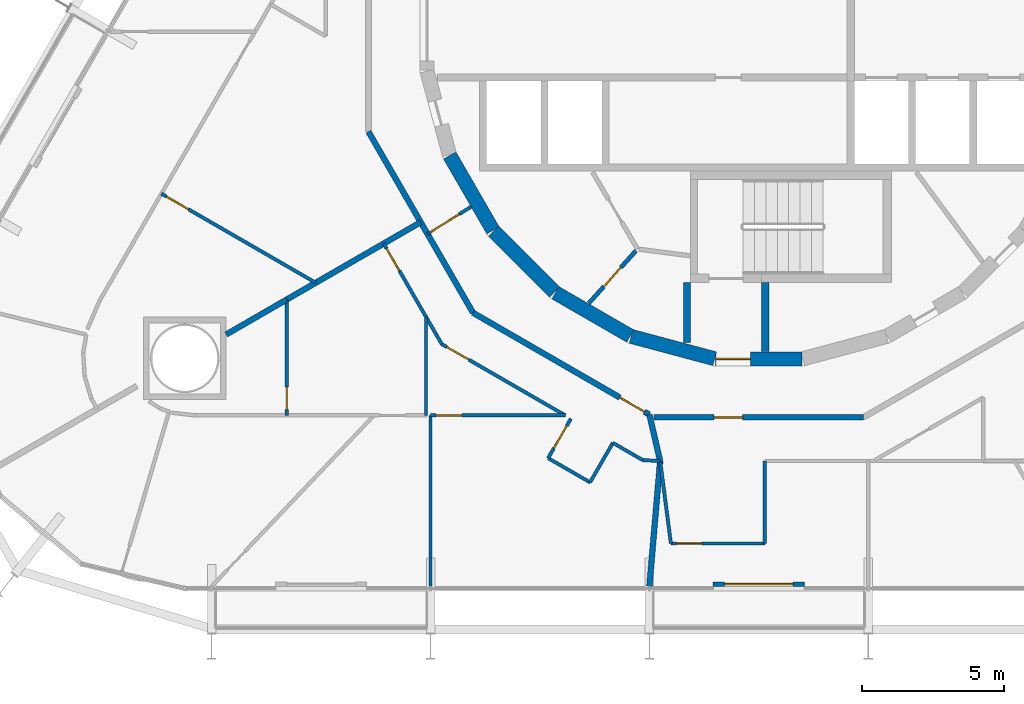
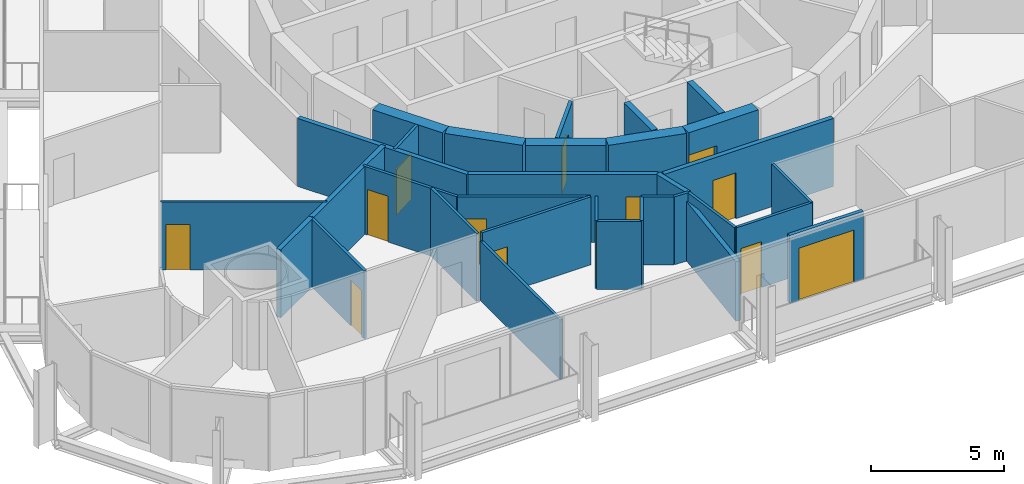
# One storey, part 13 of 21: 32 walls, 13 doors, 13 openings.
"""IFC4 building model written with IfcOpenShell, lengths in metres."""

import ifcopenshell
import ifcopenshell.guid

model = None  # the IFC model being written
_history = None  # IfcOwnerHistory: only IFC2X3 demands one
_inside = {}  # id of a spatial element -> (the spatial element, [elements in it])
_under = {}  # id of a project, library or spatial element -> (it, [spatial elements below it])
_declared = {}  # id of a project -> (the project, [libraries it declares])
_typed = {}  # id of a type object -> (the type object, [elements of that type])
_made_of = {}  # id of a material, layer set ... -> (it, [elements and type objects made of it])


def new_model(schema):
    """Start an empty IFC model of exactly this schema.

    Asked for "IFC4X3", IfcOpenShell would pick the latest addendum, in which some entities
    have other attributes; the version numbers below select the first issue.
    IFC2X3 requires an IfcOwnerHistory on every rooted entity: one is made here for all.
    """
    global model, _history
    if schema == "IFC4X3":
        model = ifcopenshell.file(schema_version=(4, 3, 0, 0))
    else:
        model = ifcopenshell.file(schema=schema)
    _inside.clear()
    _under.clear()
    _declared.clear()
    _typed.clear()
    _made_of.clear()
    _history = None
    if model.schema == "IFC2X3":
        org = make("IfcOrganization", Name="unknown")
        user = make(
            "IfcPersonAndOrganization",
            ThePerson=make("IfcPerson", FamilyName="unknown"),
            TheOrganization=org,
        )
        app = make(
            "IfcApplication",
            ApplicationDeveloper=org,
            Version="unknown",
            ApplicationFullName="unknown",
            ApplicationIdentifier="unknown",
        )
        _history = make(
            "IfcOwnerHistory",
            OwningUser=user,
            OwningApplication=app,
            ChangeAction="ADDED",
            CreationDate=0,
        )
    return model


def make(cls, **values):
    """One entity of the class cls with the attributes given. An attribute that is None is left unset."""
    return model.create_entity(
        cls, **{name: value for name, value in values.items() if value is not None}
    )


def rooted(cls, **values):
    """An entity with a GlobalId (a new one), such as an element, a storey or a relation."""
    return make(cls, GlobalId=ifcopenshell.guid.new(), OwnerHistory=_history, **values)


def si_unit(unit_type, name, prefix=None):
    """IfcSIUnit, for example si_unit("LENGTHUNIT", "METRE", prefix="MILLI")."""
    return make("IfcSIUnit", UnitType=unit_type, Prefix=prefix, Name=name)


def assignment(units):
    """IfcUnitAssignment: the units of a project."""
    return None if units is None else make("IfcUnitAssignment", Units=units)


def point(xyz):
    """IfcCartesianPoint."""
    return None if xyz is None else make("IfcCartesianPoint", Coordinates=xyz)


def direction(xyz):
    """IfcDirection."""
    return None if xyz is None else make("IfcDirection", DirectionRatios=xyz)


def frame(location, z_axis=None, x_axis=None):
    """IfcAxis2Placement3D, a coordinate frame: its origin and axes. An axis left out is left unset."""
    return make(
        "IfcAxis2Placement3D",
        Location=point(location),
        Axis=direction(z_axis),
        RefDirection=direction(x_axis),
    )


def frame_2d(location, x_axis=None):
    """IfcAxis2Placement2D, a coordinate frame in the plane: its origin and x axis."""
    return make(
        "IfcAxis2Placement2D", Location=point(location), RefDirection=direction(x_axis)
    )


def origin():
    """The frame at (0, 0, 0) with its axes left unset."""
    return frame((0.0, 0.0, 0.0))


def place(relative_to, where):
    """IfcLocalPlacement: puts the frame where relative to a parent placement (None: the world)."""
    return make(
        "IfcLocalPlacement", PlacementRelTo=relative_to, RelativePlacement=where
    )


def context(
    kind, dimensions, precision=None, world=None, true_north=None, identifier=None
):
    """IfcGeometricRepresentationContext, for example the 3D "Model" context."""
    return make(
        "IfcGeometricRepresentationContext",
        ContextIdentifier=identifier,
        ContextType=kind,
        CoordinateSpaceDimension=dimensions,
        Precision=precision,
        WorldCoordinateSystem=world,
        TrueNorth=true_north,
    )


def subcontext(parent, identifier, kind, view, scale=None):
    """IfcGeometricRepresentationSubContext, for example "Body" below "Model"."""
    return make(
        "IfcGeometricRepresentationSubContext",
        ContextIdentifier=identifier,
        ContextType=kind,
        ParentContext=parent,
        TargetScale=scale,
        TargetView=view,
    )


def project(units=None, contexts=None):
    """IfcProject with its units and contexts."""
    return rooted(
        "IfcProject",
        Name="project",
        RepresentationContexts=contexts,
        UnitsInContext=assignment(units),
    )


def spatial(cls, under=None, at=None, **own):
    """A site, building, storey or space (cls), placed at a placement, below another one or the project."""
    s = rooted(cls, ObjectPlacement=at, **own)
    if under is not None:
        _under.setdefault(under.id(), (under, []))[1].append(s)
    return s


def profile(cls, at=None, kind="AREA", **sizes):
    """A parametric profile (cls). Its sizes go by their IFC names, for example OverallWidth=200.0."""
    return make(cls, ProfileType=kind, Position=at, **sizes)


def rectangle(**sizes):
    """IfcRectangleProfileDef."""
    return profile("IfcRectangleProfileDef", **sizes)


def extrude(swept, where, along, depth):
    """IfcExtrudedAreaSolid: the profile swept, set in the frame where, extruded along a direction by depth."""
    return make(
        "IfcExtrudedAreaSolid",
        SweptArea=swept,
        Position=where,
        ExtrudedDirection=direction(along),
        Depth=depth,
    )


def shape(context_of_items, identifier, shape_type, items):
    """IfcShapeRepresentation: the items that make up one representation, for example the "Body"."""
    return make(
        "IfcShapeRepresentation",
        ContextOfItems=context_of_items,
        RepresentationIdentifier=identifier,
        RepresentationType=shape_type,
        Items=items,
    )


def material(Name=None, Category=None):
    """IfcMaterial."""
    return make("IfcMaterial", Name=Name, Category=Category)


def layer(
    of_material, thickness, ventilated=None, Name=None, Category=None, Priority=None
):
    """IfcMaterialLayer: one layer of a wall or slab, of a material (None: an air gap)."""
    return make(
        "IfcMaterialLayer",
        Material=of_material,
        LayerThickness=thickness,
        IsVentilated=ventilated,
        Name=Name,
        Category=Category,
        Priority=Priority,
    )


def layer_set(layers, Name=None):
    """IfcMaterialLayerSet."""
    return make("IfcMaterialLayerSet", MaterialLayers=layers, LayerSetName=Name)


def made_of(thing, what):
    """Note that an element or type object is made of a material, layer set ...; save() writes the relation."""
    if what is not None:
        _made_of.setdefault(what.id(), (what, []))[1].append(thing)
    return thing


def type_object(cls, material=None, **own):
    """A type object (cls), such as IfcWallType, which elements share."""
    return made_of(rooted(cls, **own), material)


def element(
    cls,
    number,
    at=None,
    inside=None,
    cuts=None,
    type_object=None,
    material=None,
    context=None,
    identifier="Body",
    shape_type=None,
    held_by="IfcProductDefinitionShape",
    body=None,
    shapes=None,
    **own,
):
    """One element of the class cls, such as IfcWall. Its Tag is "e" and its number.

    at: its placement. inside: the storey or other place that contains it. cuts: it is an
    opening in that element (IfcRelVoidsElement). A single representation is given by context,
    identifier, shape_type and body (its items); several are given by shapes. held_by: the class
    of the entity that holds the representations. save() writes the other relations.
    """
    e = rooted(cls, Tag="e%d" % number, ObjectPlacement=at, **own)
    if body is not None:
        shapes = [shape(context, identifier, shape_type, body)]
    if shapes is not None:
        e.Representation = make(held_by, Representations=shapes)
    if inside is not None:
        _inside.setdefault(inside.id(), (inside, []))[1].append(e)
    if cuts is not None:
        rooted(
            "IfcRelVoidsElement", RelatingBuildingElement=cuts, RelatedOpeningElement=e
        )
    if type_object is not None:
        _typed.setdefault(type_object.id(), (type_object, []))[1].append(e)
    return made_of(e, material)


def fill(opening, filler):
    """IfcRelFillsElement: the door or window that sits in an opening."""
    return rooted(
        "IfcRelFillsElement",
        RelatingOpeningElement=opening,
        RelatedBuildingElement=filler,
    )


def aggregate(whole, parts):
    """IfcRelAggregates: a whole, such as a stair, and the parts it consists of."""
    return rooted("IfcRelAggregates", RelatingObject=whole, RelatedObjects=parts)


def save(model, path):
    """Write the relations noted so far, then the file.

    IfcRelAggregates (storeys below a building ...), IfcRelContainedInSpatialStructure (elements
    in a storey), IfcRelDefinesByType, IfcRelAssociatesMaterial and IfcRelDeclares: one each for
    every whole, place, type object, material and project.
    """
    for whole, parts in _under.values():
        aggregate(whole, parts)
    for where, things in _inside.values():
        rooted(
            "IfcRelContainedInSpatialStructure",
            RelatedElements=things,
            RelatingStructure=where,
        )
    for kind, things in _typed.values():
        rooted("IfcRelDefinesByType", RelatedObjects=things, RelatingType=kind)
    for what, things in _made_of.values():
        rooted("IfcRelAssociatesMaterial", RelatedObjects=things, RelatingMaterial=what)
    for by, libraries in _declared.values():
        rooted("IfcRelDeclares", RelatingContext=by, RelatedDefinitions=libraries)
    model.write(path)


model = new_model("IFC4")

# Units and contexts
model_context = context("Model", 3, precision=1e-05, world=origin(), true_north=direction((0.0, 1.0)))
body_context = subcontext(model_context, "Body", "Model", "MODEL_VIEW")
ifc_project = project(units=[si_unit("LENGTHUNIT", "METRE"), si_unit("AREAUNIT", "SQUARE_METRE"), si_unit("VOLUMEUNIT", "CUBIC_METRE"), si_unit("PLANEANGLEUNIT", "RADIAN"), si_unit("MASSUNIT", "GRAM", prefix="KILO")], contexts=[model_context])

# Site, building, storey
site_placement = place(None, origin())
site = spatial("IfcSite", under=ifc_project, at=site_placement, CompositionType="ELEMENT")
building_placement = place(site_placement, origin())
building = spatial("IfcBuilding", under=site, at=building_placement, Name="Spindle Arch Residences", CompositionType="ELEMENT")
storey_placement = place(building_placement, frame((0.0, 0.0, 62.89990234375)))
storey = spatial("IfcBuildingStorey", under=building, at=storey_placement, Name="L14", CompositionType="ELEMENT", Elevation=62.89990234375)

# Walls
ifc_material_1 = material(Name="Concrete C50/60", Category="concrete")
ifc_layer_1 = layer(ifc_material_1, 0.5)
ifc_layer_set_1 = layer_set([ifc_layer_1], Name="Core outline wall 500")
wall_type_1 = type_object("IfcWallType", Name="Core outline wall 500", PredefinedType="SHEAR", material=ifc_layer_set_1)
wall_1_placement = place(storey_placement, frame((-10.84521484375, -4.510498046875, 0.0), z_axis=(0.0, 0.0, 1.0), x_axis=(0.500087131594, -0.865975092491, 0.0)))
element("IfcWall", 1, at=wall_1_placement, inside=storey, type_object=wall_type_1, Name="Core outline wall 20", PredefinedType="SHEAR", context=body_context, shape_type="SweptSolid", body=[
    extrude(rectangle(XDim=3.03271484375, YDim=0.5, at=frame_2d((1.516357421875, 0.0))), origin(), (0.0, 0.0, 1.0), 3.1201171875),
])
wall_2_placement = place(storey_placement, frame((-9.30810546875, -7.163818359375, 0.0), z_axis=(0.0, 0.0, 1.0), x_axis=(0.707106781187, -0.707106781187, 0.0)))
element("IfcWall", 2, at=wall_2_placement, inside=storey, type_object=wall_type_1, Name="Core outline wall 21", PredefinedType="SHEAR", context=body_context, shape_type="SweptSolid", body=[
    extrude(rectangle(XDim=3.032470703125, YDim=0.5, at=frame_2d((1.51611328125, 0.0))), origin(), (0.0, 0.0, 1.0), 3.1201171875),
])
for number, where, z_axis, x_axis, name in (
    (3, (-7.13671875, -9.32861328125, 0.0), (0.0, 0.0, 1.0), (0.865975092491, -0.500087131594, 0.0), "Core outline wall 22"),
    (4, (-4.479248046875, -10.858154296875, 0.0), (0.0, 0.0, 1.0), (0.965948410781, -0.258734743916, 0.0), "Core outline wall 23"),
):
    element("IfcWall", number, at=place(storey_placement, frame(where, z_axis=z_axis, x_axis=x_axis)), inside=storey, type_object=wall_type_1, Name=name, PredefinedType="SHEAR", context=body_context, shape_type="SweptSolid", body=[
        extrude(rectangle(XDim=3.03271484375, YDim=0.5, at=frame_2d((1.516357421875, 0.0))), origin(), (0.0, 0.0, 1.0), 3.1201171875),
    ])

# Wall, opening, door
wall_3_placement = place(storey_placement, frame((-1.516357421875, -11.647216796875, 0.0), z_axis=(0.0, 0.0, 1.0), x_axis=(1.0, 0.0, 0.0)))
wall_3 = element("IfcWall", 5, at=wall_3_placement, inside=storey, type_object=wall_type_1, Name="Core outline wall 24", PredefinedType="SHEAR", context=body_context, shape_type="SweptSolid", body=[
    extrude(rectangle(XDim=3.03271484375, YDim=0.5, at=frame_2d((1.516357421875, 0.0))), origin(), (0.0, 0.0, 1.0), 3.1201171875),
])
opening_1_placement = place(wall_3_placement, frame((0.016357421875, 0.0, 0.0)))
opening_1 = element("IfcOpeningElement", 6, at=opening_1_placement, cuts=wall_3, Name="Opening R1C1-AD03", PredefinedType="OPENING", context=body_context, shape_type="SweptSolid", body=[
    extrude(rectangle(XDim=1.199951171875, YDim=2.10009765625, at=frame_2d((0.60009765625, 1.050048828125))), frame((0.0, 0.260009765625, 0.0), z_axis=(0.0, -1.0, 0.0), x_axis=(1.0, 0.0, 0.0)), (0.0, 0.0, 1.0), 0.52001953125),
])
ifc_material_2 = material(Name="Steel, fire-resisting door", Category="steel")
door_type_1 = type_object("IfcDoorType", Name="Stair airlock door 1200x2100", OperationType="SINGLE_SWING_LEFT", PredefinedType="DOOR", material=ifc_material_2)
door_1_placement = place(opening_1_placement, origin())
door_1 = element("IfcDoor", 7, at=door_1_placement, inside=storey, type_object=door_type_1, Name="Stair airlock door R1C1-AD03", OperationType="SINGLE_SWING_RIGHT", OverallHeight=2.10009765625, OverallWidth=1.199951171875, PredefinedType="DOOR", context=body_context, shape_type="SweptSolid", body=[
    extrude(rectangle(XDim=1.199951171875, YDim=2.10009765625, at=frame_2d((0.60009765625, 1.050048828125))), frame((0.0, 0.02490234375, 0.0), z_axis=(0.0, -1.0, 0.0), x_axis=(1.0, 0.0, 0.0)), (0.0, 0.0, 1.0), 0.050048828125),
])
fill(opening_1, door_1)

ifc_material_3 = material(Name="Plasterboard on steel studs", Category="steel")
ifc_layer_2 = layer(ifc_material_3, 0.1201171875)
ifc_layer_set_2 = layer_set([ifc_layer_2], Name="Corridor division wall 120")
wall_type_2 = type_object("IfcWallType", Name="Corridor division wall 120", PredefinedType="PARTITIONING", material=ifc_layer_set_2)
wall_4_placement = place(storey_placement, frame((-11.625244140625, -7.264404296875, 0.0), z_axis=(0.0, 0.0, 1.0), x_axis=(0.84803632456, 0.529938102259, 0.0)))
wall_4 = element("IfcWall", 8, at=wall_4_placement, inside=storey, type_object=wall_type_2, Name="Corridor division wall R1C1-W003", PredefinedType="PARTITIONING", context=body_context, shape_type="SweptSolid", body=[
    extrude(rectangle(XDim=1.8037109375, YDim=0.1201171875, at=frame_2d((0.90185546875, 0.0))), origin(), (0.0, 0.0, 1.0), 3.1201171875),
])
opening_2_placement = place(wall_4_placement, frame((0.110107421875, 0.0, 0.0)))
opening_2 = element("IfcOpeningElement", 9, at=opening_2_placement, cuts=wall_4, Name="Opening R1C1-CD03", PredefinedType="OPENING", context=body_context, shape_type="SweptSolid", body=[
    extrude(rectangle(XDim=1.199951171875, YDim=2.10009765625, at=frame_2d((0.60009765625, 1.050048828125))), frame((0.0, 0.070068359375, 0.0), z_axis=(0.0, -1.0, 0.0), x_axis=(1.0, 0.0, 0.0)), (0.0, 0.0, 1.0), 0.14013671875),
])
ifc_material_4 = material(Name="Steel, fire-resisting door", Category="steel")
door_type_2 = type_object("IfcDoorType", Name="Corridor division door 1200x2100", OperationType="NOTDEFINED", PredefinedType="DOOR", material=ifc_material_4)
door_2_placement = place(opening_2_placement, origin())
door_2 = element("IfcDoor", 10, at=door_2_placement, inside=storey, type_object=door_type_2, Name="Corridor division door R1C1-CD03", OperationType="DOUBLE_DOOR_SINGLE_SWING", OverallHeight=2.10009765625, OverallWidth=1.199951171875, PredefinedType="DOOR", context=body_context, shape_type="SweptSolid", body=[
    extrude(rectangle(XDim=1.199951171875, YDim=2.10009765625, at=frame_2d((0.60009765625, 1.050048828125))), frame((0.0, 0.02490234375, 0.0), z_axis=(0.0, -1.0, 0.0), x_axis=(1.0, 0.0, 0.0)), (0.0, 0.0, 1.0), 0.050048828125),
])
fill(opening_2, door_2)

# Wall
ifc_material_5 = material(Name="Calcium silicate block, plastered")
ifc_layer_3 = layer(ifc_material_5, 0.199951171875)
ifc_layer_set_3 = layer_set([ifc_layer_3], Name="Corridor wall 200")
wall_type_3 = type_object("IfcWallType", Name="Corridor wall 200", PredefinedType="STANDARD", material=ifc_layer_set_3)
wall_5_placement = place(storey_placement, frame((-13.699951171875, -3.6708984375, 0.0), z_axis=(0.0, 0.0, 1.0), x_axis=(0.500001669485, -0.866024439905, 0.0)))
element("IfcWall", 11, at=wall_5_placement, inside=storey, type_object=wall_type_3, Name="Corridor wall R1C1-W012", PredefinedType="STANDARD", context=body_context, shape_type="SweptSolid", body=[
    extrude(rectangle(XDim=7.341796875, YDim=0.199951171875, at=frame_2d((3.6708984375, 0.0))), origin(), (0.0, 0.0, 1.0), 3.1201171875),
])

# Wall, opening, door
wall_6_placement = place(storey_placement, frame((-10.029052734375, -10.029052734375, 0.0), z_axis=(0.0, 0.0, 1.0), x_axis=(0.866022878987, -0.500004373052, 0.0)))
wall_6 = element("IfcWall", 12, at=wall_6_placement, inside=storey, type_object=wall_type_3, Name="Corridor wall R1C1-W013", PredefinedType="STANDARD", context=body_context, shape_type="SweptSolid", body=[
    extrude(rectangle(XDim=7.146484375, YDim=0.199951171875, at=frame_2d((3.5732421875, 0.0))), origin(), (0.0, 0.0, 1.0), 3.1201171875),
])
opening_3_placement = place(wall_6_placement, frame((5.946533203125, 0.0, 0.0)))
opening_3 = element("IfcOpeningElement", 13, at=opening_3_placement, cuts=wall_6, Name="Opening R1C1-FD04", PredefinedType="OPENING", context=body_context, shape_type="SweptSolid", body=[
    extrude(rectangle(XDim=1.0, YDim=2.10009765625, at=frame_2d((0.5, 1.050048828125))), frame((0.0, 0.10986328125, 0.0), z_axis=(0.0, -1.0, 0.0), x_axis=(1.0, 0.0, 0.0)), (0.0, 0.0, 1.0), 0.219970703125),
])
ifc_material_6 = material(Name="Timber, fire-resisting door set", Category="wood")
door_type_3 = type_object("IfcDoorType", Name="Flat entrance door 1000x2100", OperationType="NOTDEFINED", PredefinedType="DOOR", material=ifc_material_6)
door_3_placement = place(opening_3_placement, origin())
door_3 = element("IfcDoor", 14, at=door_3_placement, inside=storey, type_object=door_type_3, Name="Flat entrance door R1C1-FD04", OperationType="SINGLE_SWING_LEFT", OverallHeight=2.10009765625, OverallWidth=1.0, PredefinedType="DOOR", context=body_context, shape_type="SweptSolid", body=[
    extrude(rectangle(XDim=1.0, YDim=2.10009765625, at=frame_2d((0.5, 1.050048828125))), frame((0.0, 0.02490234375, 0.0), z_axis=(0.0, -1.0, 0.0), x_axis=(1.0, 0.0, 0.0)), (0.0, 0.0, 1.0), 0.050048828125),
])
fill(opening_3, door_3)

wall_7_placement = place(storey_placement, frame((-3.6708984375, -13.699951171875, 0.0), z_axis=(0.0, 0.0, 1.0), x_axis=(1.0, 0.0, 0.0)))
wall_7 = element("IfcWall", 15, at=wall_7_placement, inside=storey, type_object=wall_type_3, Name="Corridor wall R1C1-W014", PredefinedType="STANDARD", context=body_context, shape_type="SweptSolid", body=[
    extrude(rectangle(XDim=7.341796875, YDim=0.199951171875, at=frame_2d((3.6708984375, 0.0))), origin(), (0.0, 0.0, 1.0), 3.1201171875),
])
opening_4_placement = place(wall_7_placement, frame((2.10009765625, 0.0, 0.0)))
opening_4 = element("IfcOpeningElement", 16, at=opening_4_placement, cuts=wall_7, Name="Opening R1C1-FD05", PredefinedType="OPENING", context=body_context, shape_type="SweptSolid", body=[
    extrude(rectangle(XDim=1.0, YDim=2.10009765625, at=frame_2d((0.5, 1.050048828125))), frame((0.0, 0.10986328125, 0.0), z_axis=(0.0, -1.0, 0.0), x_axis=(1.0, 0.0, 0.0)), (0.0, 0.0, 1.0), 0.219970703125),
])
door_4_placement = place(opening_4_placement, origin())
door_4 = element("IfcDoor", 17, at=door_4_placement, inside=storey, type_object=door_type_3, Name="Flat entrance door R1C1-FD05", OperationType="SINGLE_SWING_LEFT", OverallHeight=2.10009765625, OverallWidth=1.0, PredefinedType="DOOR", context=body_context, shape_type="SweptSolid", body=[
    extrude(rectangle(XDim=1.0, YDim=2.10009765625, at=frame_2d((0.5, 1.050048828125))), frame((0.0, 0.02490234375, 0.0), z_axis=(0.0, -1.0, 0.0), x_axis=(1.0, 0.0, 0.0)), (0.0, 0.0, 1.0), 0.050048828125),
])
fill(opening_4, door_4)

ifc_material_7 = material(Name="Plasterboard on steel studs", Category="steel")
ifc_layer_4 = layer(ifc_material_7, 0.1201171875)
ifc_layer_set_4 = layer_set([ifc_layer_4], Name="Flat partition 120")
wall_type_4 = type_object("IfcWallType", Name="Flat partition 120", PredefinedType="PARTITIONING", material=ifc_layer_set_4)
wall_8_placement = place(storey_placement, frame((-20.96337890625, -5.849853515625, 0.0), z_axis=(0.0, 0.0, 1.0), x_axis=(0.866021746608, -0.500006334362, 0.0)))
wall_8 = element("IfcWall", 18, at=wall_8_placement, inside=storey, type_object=wall_type_4, Name="Flat partition R1C1-W070", PredefinedType="PARTITIONING", context=body_context, shape_type="SweptSolid", body=[
    extrude(rectangle(XDim=6.25341796875, YDim=0.1201171875, at=frame_2d((3.126708984375, 0.0))), origin(), (0.0, 0.0, 1.0), 3.1201171875),
])
opening_5_placement = place(wall_8_placement, frame((0.199951171875, 0.0, 0.0)))
opening_5 = element("IfcOpeningElement", 19, at=opening_5_placement, cuts=wall_8, Name="Opening R1C1-ID14", PredefinedType="OPENING", context=body_context, shape_type="SweptSolid", body=[
    extrude(rectangle(XDim=0.89990234375, YDim=2.10009765625, at=frame_2d((0.449951171875, 1.050048828125))), frame((0.0, 0.070068359375, 0.0), z_axis=(0.0, -1.0, 0.0), x_axis=(1.0, 0.0, 0.0)), (0.0, 0.0, 1.0), 0.14013671875),
])
ifc_material_8 = material(Name="Timber door set", Category="wood")
door_type_4 = type_object("IfcDoorType", Name="Room door 900x2100", OperationType="NOTDEFINED", PredefinedType="DOOR", material=ifc_material_8)
door_5_placement = place(opening_5_placement, origin())
door_5 = element("IfcDoor", 20, at=door_5_placement, inside=storey, type_object=door_type_4, Name="Room door R1C1-ID14", OperationType="SINGLE_SWING_RIGHT", OverallHeight=2.10009765625, OverallWidth=0.89990234375, PredefinedType="DOOR", context=body_context, shape_type="SweptSolid", body=[
    extrude(rectangle(XDim=0.89990234375, YDim=2.10009765625, at=frame_2d((0.449951171875, 1.050048828125))), frame((0.0, 0.02490234375, 0.0), z_axis=(0.0, -1.0, 0.0), x_axis=(1.0, 0.0, 0.0)), (0.0, 0.0, 1.0), 0.050048828125),
])
fill(opening_5, door_5)

wall_9_placement = place(storey_placement, frame((-13.16357421875, -7.60009765625, 0.0), z_axis=(0.0, 0.0, 1.0), x_axis=(0.500000928893, -0.866024867487, 0.0)))
wall_9 = element("IfcWall", 21, at=wall_9_placement, inside=storey, type_object=wall_type_4, Name="Flat partition R1C1-W079", PredefinedType="PARTITIONING", context=body_context, shape_type="SweptSolid", body=[
    extrude(rectangle(XDim=4.07275390625, YDim=0.1201171875, at=frame_2d((2.036376953125, 0.0))), origin(), (0.0, 0.0, 1.0), 3.1201171875),
])
opening_6_placement = place(wall_9_placement, frame((0.199951171875, 0.0, 0.0)))
opening_6 = element("IfcOpeningElement", 22, at=opening_6_placement, cuts=wall_9, Name="Opening R1C1-ID17", PredefinedType="OPENING", context=body_context, shape_type="SweptSolid", body=[
    extrude(rectangle(XDim=0.89990234375, YDim=2.10009765625, at=frame_2d((0.449951171875, 1.050048828125))), frame((0.0, 0.070068359375, 0.0), z_axis=(0.0, -1.0, 0.0), x_axis=(1.0, 0.0, 0.0)), (0.0, 0.0, 1.0), 0.14013671875),
])
door_6_placement = place(opening_6_placement, origin())
door_6 = element("IfcDoor", 23, at=door_6_placement, inside=storey, type_object=door_type_4, Name="Room door R1C1-ID17", OperationType="SINGLE_SWING_LEFT", OverallHeight=2.10009765625, OverallWidth=0.89990234375, PredefinedType="DOOR", context=body_context, shape_type="SweptSolid", body=[
    extrude(rectangle(XDim=0.89990234375, YDim=2.10009765625, at=frame_2d((0.449951171875, 1.050048828125))), frame((0.0, 0.02490234375, 0.0), z_axis=(0.0, -1.0, 0.0), x_axis=(1.0, 0.0, 0.0)), (0.0, 0.0, 1.0), 0.050048828125),
])
fill(opening_6, door_6)

wall_10_placement = place(storey_placement, frame((-11.127197265625, -11.127197265625, 0.0), z_axis=(0.0, 0.0, 1.0), x_axis=(0.866034514313, -0.499984219769, 0.0)))
wall_10 = element("IfcWall", 24, at=wall_10_placement, inside=storey, type_object=wall_type_4, Name="Flat partition R1C1-W080", PredefinedType="PARTITIONING", context=body_context, shape_type="SweptSolid", body=[
    extrude(rectangle(XDim=5.005615234375, YDim=0.1201171875, at=frame_2d((2.5029296875, 0.0))), origin(), (0.0, 0.0, 1.0), 3.1201171875),
])
opening_7_placement = place(wall_10_placement, frame((0.199951171875, 0.0, 0.0)))
opening_7 = element("IfcOpeningElement", 25, at=opening_7_placement, cuts=wall_10, Name="Opening R1C1-ID18", PredefinedType="OPENING", context=body_context, shape_type="SweptSolid", body=[
    extrude(rectangle(XDim=0.89990234375, YDim=2.10009765625, at=frame_2d((0.449951171875, 1.050048828125))), frame((0.0, 0.070068359375, 0.0), z_axis=(0.0, -1.0, 0.0), x_axis=(1.0, 0.0, 0.0)), (0.0, 0.0, 1.0), 0.14013671875),
])
door_7_placement = place(opening_7_placement, origin())
door_7 = element("IfcDoor", 26, at=door_7_placement, inside=storey, type_object=door_type_4, Name="Room door R1C1-ID18", OperationType="SINGLE_SWING_LEFT", OverallHeight=2.10009765625, OverallWidth=0.89990234375, PredefinedType="DOOR", context=body_context, shape_type="SweptSolid", body=[
    extrude(rectangle(XDim=0.89990234375, YDim=2.10009765625, at=frame_2d((0.449951171875, 1.050048828125))), frame((0.0, 0.02490234375, 0.0), z_axis=(0.0, -1.0, 0.0), x_axis=(1.0, 0.0, 0.0)), (0.0, 0.0, 1.0), 0.050048828125),
])
fill(opening_7, door_7)

wall_11_placement = place(storey_placement, frame((-6.593994140625, -13.744384765625, 0.0), z_axis=(0.0, 0.0, 1.0), x_axis=(-0.499947031044, -0.866055983265, 0.0)))
wall_11 = element("IfcWall", 27, at=wall_11_placement, inside=storey, type_object=wall_type_4, Name="Flat partition R1C1-W081", PredefinedType="PARTITIONING", context=body_context, shape_type="SweptSolid", body=[
    extrude(rectangle(XDim=1.599853515625, YDim=0.1201171875, at=frame_2d((0.7998046875, 0.0))), origin(), (0.0, 0.0, 1.0), 3.1201171875),
])
opening_8_placement = place(wall_11_placement, frame((0.300048828125, 0.0, 0.0)))
opening_8 = element("IfcOpeningElement", 28, at=opening_8_placement, cuts=wall_11, Name="Opening R1C1-ID19", PredefinedType="OPENING", context=body_context, shape_type="SweptSolid", body=[
    extrude(rectangle(XDim=0.89990234375, YDim=2.10009765625, at=frame_2d((0.449951171875, 1.050048828125))), frame((0.0, 0.070068359375, 0.0), z_axis=(0.0, -1.0, 0.0), x_axis=(1.0, 0.0, 0.0)), (0.0, 0.0, 1.0), 0.14013671875),
])
door_8_placement = place(opening_8_placement, origin())
door_8 = element("IfcDoor", 29, at=door_8_placement, inside=storey, type_object=door_type_4, Name="Room door R1C1-ID19", OperationType="SINGLE_SWING_RIGHT", OverallHeight=2.10009765625, OverallWidth=0.89990234375, PredefinedType="DOOR", context=body_context, shape_type="SweptSolid", body=[
    extrude(rectangle(XDim=0.89990234375, YDim=2.10009765625, at=frame_2d((0.449951171875, 1.050048828125))), frame((0.0, 0.02490234375, 0.0), z_axis=(0.0, -1.0, 0.0), x_axis=(1.0, 0.0, 0.0)), (0.0, 0.0, 1.0), 0.050048828125),
])
fill(opening_8, door_8)

# Walls
wall_12_placement = place(storey_placement, frame((-7.393798828125, -15.1298828125, 0.0), z_axis=(0.0, 0.0, 1.0), x_axis=(0.86605165483, -0.499954529098, 0.0)))
element("IfcWall", 30, at=wall_12_placement, inside=storey, type_object=wall_type_4, Name="Flat partition R1C1-W082", PredefinedType="PARTITIONING", context=body_context, shape_type="SweptSolid", body=[
    extrude(rectangle(XDim=1.699951171875, YDim=0.1201171875, at=frame_2d((0.85009765625, 0.0))), origin(), (0.0, 0.0, 1.0), 3.1201171875),
])
wall_13_placement = place(storey_placement, frame((-5.921630859375, -15.979736328125, 0.0), z_axis=(0.0, 0.0, 1.0), x_axis=(0.500013115284, 0.866017831539, 0.0)))
element("IfcWall", 31, at=wall_13_placement, inside=storey, type_object=wall_type_4, Name="Flat partition R1C1-W083", PredefinedType="PARTITIONING", context=body_context, shape_type="SweptSolid", body=[
    extrude(rectangle(XDim=1.599609375, YDim=0.1201171875, at=frame_2d((0.7998046875, 0.0))), origin(), (0.0, 0.0, 1.0), 3.1201171875),
])
wall_14_placement = place(storey_placement, frame((-5.121826171875, -14.594482421875, 0.0), z_axis=(0.0, 0.0, 1.0), x_axis=(0.86610168388, -0.499867855718, 0.0)))
element("IfcWall", 32, at=wall_14_placement, inside=storey, type_object=wall_type_4, Name="Flat partition R1C1-W084", PredefinedType="PARTITIONING", context=body_context, shape_type="SweptSolid", body=[
    extrude(rectangle(XDim=1.211181640625, YDim=0.1201171875, at=frame_2d((0.60546875, 0.0))), origin(), (0.0, 0.0, 1.0), 3.1201171875),
])
wall_15_placement = place(storey_placement, frame((-4.07275390625, -15.199951171875, 0.0), z_axis=(0.0, 0.0, 1.0), x_axis=(0.99879090756, -0.049160176723, 0.0)))
element("IfcWall", 33, at=wall_15_placement, inside=storey, type_object=wall_type_4, Name="Flat partition R1C1-W085", PredefinedType="PARTITIONING", context=body_context, shape_type="SweptSolid", body=[
    extrude(rectangle(XDim=0.61083984375, YDim=0.1201171875, at=frame_2d((0.305419921875, 0.0))), origin(), (0.0, 0.0, 1.0), 3.1201171875),
])

# Wall, opening, door
wall_16_placement = place(storey_placement, frame((-16.564697265625, -13.6298828125, 0.0), z_axis=(0.0, 0.0, 1.0), x_axis=(0.0, 1.0, 0.0)))
wall_16 = element("IfcWall", 34, at=wall_16_placement, inside=storey, type_object=wall_type_4, Name="Flat partition R1C1-W089", PredefinedType="PARTITIONING", context=body_context, shape_type="SweptSolid", body=[
    extrude(rectangle(XDim=4.066162109375, YDim=0.1201171875, at=frame_2d((2.033203125, 0.0))), origin(), (0.0, 0.0, 1.0), 3.1201171875),
])
opening_9_placement = place(wall_16_placement, frame((0.199951171875, 0.0, 0.0)))
opening_9 = element("IfcOpeningElement", 35, at=opening_9_placement, cuts=wall_16, Name="Opening R1C1-BD05", PredefinedType="OPENING", context=body_context, shape_type="SweptSolid", body=[
    extrude(rectangle(XDim=0.800048828125, YDim=2.10009765625, at=frame_2d((0.39990234375, 1.050048828125))), frame((0.0, 0.070068359375, 0.0), z_axis=(0.0, -1.0, 0.0), x_axis=(1.0, 0.0, 0.0)), (0.0, 0.0, 1.0), 0.14013671875),
])
ifc_material_9 = material(Name="Timber door set", Category="wood")
door_type_5 = type_object("IfcDoorType", Name="Bathroom door 800x2100", OperationType="NOTDEFINED", PredefinedType="DOOR", material=ifc_material_9)
door_9_placement = place(opening_9_placement, origin())
door_9 = element("IfcDoor", 36, at=door_9_placement, inside=storey, type_object=door_type_5, Name="Bathroom door R1C1-BD05", OperationType="SINGLE_SWING_LEFT", OverallHeight=2.10009765625, OverallWidth=0.800048828125, PredefinedType="DOOR", context=body_context, shape_type="SweptSolid", body=[
    extrude(rectangle(XDim=0.800048828125, YDim=2.10009765625, at=frame_2d((0.39990234375, 1.050048828125))), frame((0.0, 0.02490234375, 0.0), z_axis=(0.0, -1.0, 0.0), x_axis=(1.0, 0.0, 0.0)), (0.0, 0.0, 1.0), 0.050048828125),
])
fill(opening_9, door_9)

# Wall
wall_17_placement = place(storey_placement, frame((-11.678466796875, -13.6298828125, 0.0), z_axis=(0.0, 0.0, 1.0), x_axis=(0.0, 1.0, 0.0)))
element("IfcWall", 37, at=wall_17_placement, inside=storey, type_object=wall_type_4, Name="Flat partition R1C1-W092", PredefinedType="PARTITIONING", context=body_context, shape_type="SweptSolid", body=[
    extrude(rectangle(XDim=3.457763671875, YDim=0.1201171875, at=frame_2d((1.72900390625, 0.0))), origin(), (0.0, 0.0, 1.0), 3.1201171875),
])

# Wall, opening, door
wall_18_placement = place(storey_placement, frame((-11.52001953125, -13.6298828125, 0.0), z_axis=(0.0, 0.0, 1.0), x_axis=(1.0, 0.0, 0.0)))
wall_18 = element("IfcWall", 38, at=wall_18_placement, inside=storey, type_object=wall_type_4, Name="Flat partition R1C1-W095", PredefinedType="PARTITIONING", context=body_context, shape_type="SweptSolid", body=[
    extrude(rectangle(XDim=4.727783203125, YDim=0.1201171875, at=frame_2d((2.36376953125, 0.0))), origin(), (0.0, 0.0, 1.0), 3.1201171875),
])
opening_10_placement = place(wall_18_placement, frame((0.199951171875, 0.0, 0.0)))
opening_10 = element("IfcOpeningElement", 39, at=opening_10_placement, cuts=wall_18, Name="Opening R1C1-ID23", PredefinedType="OPENING", context=body_context, shape_type="SweptSolid", body=[
    extrude(rectangle(XDim=0.89990234375, YDim=2.10009765625, at=frame_2d((0.449951171875, 1.050048828125))), frame((0.0, 0.070068359375, 0.0), z_axis=(0.0, -1.0, 0.0), x_axis=(1.0, 0.0, 0.0)), (0.0, 0.0, 1.0), 0.14013671875),
])
door_10_placement = place(opening_10_placement, origin())
door_10 = element("IfcDoor", 40, at=door_10_placement, inside=storey, type_object=door_type_4, Name="Room door R1C1-ID23", OperationType="SINGLE_SWING_RIGHT", OverallHeight=2.10009765625, OverallWidth=0.89990234375, PredefinedType="DOOR", context=body_context, shape_type="SweptSolid", body=[
    extrude(rectangle(XDim=0.89990234375, YDim=2.10009765625, at=frame_2d((0.449951171875, 1.050048828125))), frame((0.0, 0.02490234375, 0.0), z_axis=(0.0, -1.0, 0.0), x_axis=(1.0, 0.0, 0.0)), (0.0, 0.0, 1.0), 0.050048828125),
])
fill(opening_10, door_10)

# Wall
wall_19_placement = place(storey_placement, frame((-3.462646484375, -15.22998046875, 0.0), z_axis=(0.0, 0.0, 1.0), x_axis=(0.129260547059, -0.991610665016, 0.0)))
element("IfcWall", 41, at=wall_19_placement, inside=storey, type_object=wall_type_4, Name="Flat partition R1C1-W096", PredefinedType="PARTITIONING", context=body_context, shape_type="SweptSolid", body=[
    extrude(rectangle(XDim=2.919921875, YDim=0.1201171875, at=frame_2d((1.4599609375, 0.0))), origin(), (0.0, 0.0, 1.0), 3.1201171875),
])

# Wall, opening, door
wall_20_placement = place(storey_placement, frame((-3.085205078125, -18.12548828125, 0.0), z_axis=(0.0, 0.0, 1.0), x_axis=(1.0, 0.0, 0.0)))
wall_20 = element("IfcWall", 42, at=wall_20_placement, inside=storey, type_object=wall_type_4, Name="Flat partition R1C1-W097", PredefinedType="PARTITIONING", context=body_context, shape_type="SweptSolid", body=[
    extrude(rectangle(XDim=3.300048828125, YDim=0.1201171875, at=frame_2d((1.64990234375, 0.0))), origin(), (0.0, 0.0, 1.0), 3.1201171875),
])
opening_11_placement = place(wall_20_placement, frame((0.199951171875, 0.0, 0.0)))
opening_11 = element("IfcOpeningElement", 43, at=opening_11_placement, cuts=wall_20, Name="Opening R1C1-ID24", PredefinedType="OPENING", context=body_context, shape_type="SweptSolid", body=[
    extrude(rectangle(XDim=0.89990234375, YDim=2.10009765625, at=frame_2d((0.449951171875, 1.050048828125))), frame((0.0, 0.070068359375, 0.0), z_axis=(0.0, -1.0, 0.0), x_axis=(1.0, 0.0, 0.0)), (0.0, 0.0, 1.0), 0.14013671875),
])
door_11_placement = place(opening_11_placement, origin())
door_11 = element("IfcDoor", 44, at=door_11_placement, inside=storey, type_object=door_type_4, Name="Room door R1C1-ID24", OperationType="SINGLE_SWING_LEFT", OverallHeight=2.10009765625, OverallWidth=0.89990234375, PredefinedType="DOOR", context=body_context, shape_type="SweptSolid", body=[
    extrude(rectangle(XDim=0.89990234375, YDim=2.10009765625, at=frame_2d((0.449951171875, 1.050048828125))), frame((0.0, 0.02490234375, 0.0), z_axis=(0.0, -1.0, 0.0), x_axis=(1.0, 0.0, 0.0)), (0.0, 0.0, 1.0), 0.050048828125),
])
fill(opening_11, door_11)

# Walls
wall_21_placement = place(storey_placement, frame((0.21484375, -18.12548828125, 0.0), z_axis=(0.0, 0.0, 1.0), x_axis=(0.0, 1.0, 0.0)))
element("IfcWall", 45, at=wall_21_placement, inside=storey, type_object=wall_type_4, Name="Flat partition R1C1-W098", PredefinedType="PARTITIONING", context=body_context, shape_type="SweptSolid", body=[
    extrude(rectangle(XDim=2.8955078125, YDim=0.1201171875, at=frame_2d((1.44775390625, 0.0))), origin(), (0.0, 0.0, 1.0), 3.1201171875),
])
ifc_material_10 = material(Name="Plasterboard on steel studs", Category="steel")
ifc_layer_5 = layer(ifc_material_10, 0.1201171875)
ifc_layer_set_5 = layer_set([ifc_layer_5], Name="Flat partition 120 under beam 2730")
wall_type_5 = type_object("IfcWallType", Name="Flat partition 120 under beam 2730", PredefinedType="PARTITIONING", material=ifc_layer_set_5)
wall_22_placement = place(storey_placement, frame((-11.52001953125, -19.6298828125, 0.0), z_axis=(0.0, 0.0, 1.0), x_axis=(0.0, 1.0, 0.0)))
element("IfcWall", 46, at=wall_22_placement, inside=storey, type_object=wall_type_5, Name="Flat partition R1C1-W094", PredefinedType="PARTITIONING", context=body_context, shape_type="SweptSolid", body=[
    extrude(rectangle(XDim=6.0, YDim=0.1201171875, at=frame_2d((3.0, 0.0))), origin(), (0.0, 0.0, 1.0), 2.72998046875),
])
ifc_material_11 = material(Name="Calcium silicate block, plastered")
ifc_layer_6 = layer(ifc_material_11, 0.199951171875)
ifc_layer_set_6 = layer_set([ifc_layer_6], Name="Flat party wall 200")
wall_type_6 = type_object("IfcWallType", Name="Flat party wall 200", PredefinedType="STANDARD", material=ifc_layer_set_6)
wall_23_placement = place(storey_placement, frame((-16.564697265625, -9.563720703125, 0.0), z_axis=(0.0, 0.0, 1.0), x_axis=(0.866028274568, 0.499995027624, 0.0)))
element("IfcWall", 47, at=wall_23_placement, inside=storey, type_object=wall_type_6, Name="Flat party wall R1C1-W024", PredefinedType="STANDARD", context=body_context, shape_type="SweptSolid", body=[
    extrude(rectangle(XDim=5.42724609375, YDim=0.199951171875, at=frame_2d((2.713623046875, 0.0))), origin(), (0.0, 0.0, 1.0), 3.1201171875),
])
wall_24_placement = place(storey_placement, frame((-18.693603515625, -10.792724609375, 0.0), z_axis=(0.0, 0.0, 1.0), x_axis=(0.866046662726, 0.499963176624, 0.0)))
element("IfcWall", 48, at=wall_24_placement, inside=storey, type_object=wall_type_6, Name="Flat party wall R1C1-W026", PredefinedType="STANDARD", context=body_context, shape_type="SweptSolid", body=[
    extrude(rectangle(XDim=2.458251953125, YDim=0.199951171875, at=frame_2d((1.22900390625, 0.0))), origin(), (0.0, 0.0, 1.0), 3.1201171875),
])
wall_25_placement = place(storey_placement, frame((-3.462646484375, -15.22998046875, 0.0), z_axis=(0.0, 0.0, 1.0), x_axis=(-0.225894501138, 0.974151771725, 0.0)))
element("IfcWall", 49, at=wall_25_placement, inside=storey, type_object=wall_type_6, Name="Flat party wall R1C1-W027", PredefinedType="STANDARD", context=body_context, shape_type="SweptSolid", body=[
    extrude(rectangle(XDim=1.6708984375, YDim=0.199951171875, at=frame_2d((0.83544921875, 0.0))), origin(), (0.0, 0.0, 1.0), 3.1201171875),
])
ifc_material_12 = material(Name="Calcium silicate block, plastered")
ifc_layer_7 = layer(ifc_material_12, 0.199951171875)
ifc_layer_set_7 = layer_set([ifc_layer_7], Name="Flat party wall 200 under beam 2730")
wall_type_7 = type_object("IfcWallType", Name="Flat party wall 200 under beam 2730", PredefinedType="STANDARD", material=ifc_layer_set_7)
wall_26_placement = place(storey_placement, frame((-3.840087890625, -19.6298828125, 0.0), z_axis=(0.0, 0.0, 1.0), x_axis=(0.085470135005, 0.996340732893, 0.0)))
element("IfcWall", 50, at=wall_26_placement, inside=storey, type_object=wall_type_7, Name="Flat party wall R1C1-W028", PredefinedType="STANDARD", context=body_context, shape_type="SweptSolid", body=[
    extrude(rectangle(XDim=4.416015625, YDim=0.199951171875, at=frame_2d((2.2080078125, 0.0))), origin(), (0.0, 0.0, 1.0), 2.72998046875),
])

# Wall, opening, door
ifc_material_13 = material(Name="Non-combustible mineral wool insulated aluminium faced external wall (K0)", Category="aluminium")
ifc_layer_8 = layer(ifc_material_13, 0.159912109375)
ifc_layer_set_8 = layer_set([ifc_layer_8], Name="Insulated external wall panel 160")
wall_type_8 = type_object("IfcWallType", Name="Insulated external wall panel 160", PredefinedType="STANDARD", material=ifc_layer_set_8)
wall_27_placement = place(storey_placement, frame((-1.60009765625, -19.5498046875, 0.0), z_axis=(0.0, 0.0, 1.0), x_axis=(1.0, 0.0, 0.0)))
wall_27 = element("IfcWall", 51, at=wall_27_placement, inside=storey, type_object=wall_type_8, Name="External wall L14 bay 24", PredefinedType="STANDARD", context=body_context, shape_type="SweptSolid", body=[
    extrude(rectangle(XDim=3.2001953125, YDim=0.159912109375, at=frame_2d((1.60009765625, 0.0))), origin(), (0.0, 0.0, 1.0), 3.1201171875),
])
opening_12_placement = place(wall_27_placement, frame((0.39990234375, 0.0, 0.0)))
opening_12 = element("IfcOpeningElement", 52, at=opening_12_placement, cuts=wall_27, Name="Opening BD24", PredefinedType="OPENING", context=body_context, shape_type="SweptSolid", body=[
    extrude(rectangle(XDim=2.39990234375, YDim=2.39990234375, at=frame_2d((1.199951171875, 1.199951171875))), frame((0.0, 0.08984375, 0.0), z_axis=(0.0, -1.0, 0.0), x_axis=(1.0, 0.0, 0.0)), (0.0, 0.0, 1.0), 0.179931640625),
])
ifc_material_14 = material(Name="Bronze aluminium frame, tinted double glazing", Category="aluminium")
door_type_6 = type_object("IfcDoorType", Name="Sliding glazed balcony door 2400x2400", OperationType="DOUBLE_DOOR_SLIDING", PredefinedType="DOOR", material=ifc_material_14)
door_12_placement = place(opening_12_placement, origin())
door_12 = element("IfcDoor", 53, at=door_12_placement, inside=storey, type_object=door_type_6, Name="Balcony door BD24", OperationType="DOUBLE_DOOR_SLIDING", OverallHeight=2.39990234375, OverallWidth=2.39990234375, PredefinedType="DOOR", context=body_context, shape_type="SweptSolid", body=[
    extrude(rectangle(XDim=2.39990234375, YDim=2.39990234375, at=frame_2d((1.199951171875, 1.199951171875))), frame((0.0, 0.02490234375, 0.0), z_axis=(0.0, -1.0, 0.0), x_axis=(1.0, 0.0, 0.0)), (0.0, 0.0, 1.0), 0.050048828125),
])
fill(opening_12, door_12)

ifc_material_15 = material(Name="Concrete C25/30", Category="concrete")
ifc_layer_9 = layer(ifc_material_15, 0.14990234375)
ifc_layer_set_9 = layer_set([ifc_layer_9], Name="Service room partition 150")
wall_type_9 = type_object("IfcWallType", Name="Service room partition 150", PredefinedType="PARTITIONING", material=ifc_layer_set_9)
wall_28_placement = place(storey_placement, frame((-4.310791015625, -7.85107421875, 0.0), z_axis=(0.0, 0.0, 1.0), x_axis=(-0.667869133096, -0.744278725383, 0.0)))
wall_28 = element("IfcWall", 54, at=wall_28_placement, inside=storey, type_object=wall_type_9, Name="Core service room partition", PredefinedType="PARTITIONING", context=body_context, shape_type="SweptSolid", body=[
    extrude(rectangle(XDim=2.476318359375, YDim=0.14990234375, at=frame_2d((1.23828125, 0.0))), origin(), (0.0, 0.0, 1.0), 3.1201171875),
])
opening_13_placement = place(wall_28_placement, frame((0.7880859375, 0.0, 0.0)))
opening_13 = element("IfcOpeningElement", 55, at=opening_13_placement, cuts=wall_28, Name="Opening R1C1-WD04", PredefinedType="OPENING", context=body_context, shape_type="SweptSolid", body=[
    extrude(rectangle(XDim=0.89990234375, YDim=2.10009765625, at=frame_2d((0.449951171875, 1.050048828125))), frame((0.0, 0.0849609375, 0.0), z_axis=(0.0, -1.0, 0.0), x_axis=(1.0, 0.0, 0.0)), (0.0, 0.0, 1.0), 0.169921875),
])
ifc_material_16 = material(Name="Steel, fire-resisting door", Category="steel")
door_type_7 = type_object("IfcDoorType", Name="Service room door 900x2100", OperationType="SINGLE_SWING_LEFT", PredefinedType="DOOR", material=ifc_material_16)
door_13_placement = place(opening_13_placement, origin())
door_13 = element("IfcDoor", 56, at=door_13_placement, inside=storey, type_object=door_type_7, Name="Service room door R1C1-WD04", OperationType="SINGLE_SWING_LEFT", OverallHeight=2.10009765625, OverallWidth=0.89990234375, PredefinedType="DOOR", context=body_context, shape_type="SweptSolid", body=[
    extrude(rectangle(XDim=0.89990234375, YDim=2.10009765625, at=frame_2d((0.449951171875, 1.050048828125))), frame((0.0, 0.02490234375, 0.0), z_axis=(0.0, -1.0, 0.0), x_axis=(1.0, 0.0, 0.0)), (0.0, 0.0, 1.0), 0.050048828125),
])
fill(opening_13, door_13)

# Walls
ifc_material_17 = material(Name="Concrete C40/50", Category="concrete")
ifc_layer_10 = layer(ifc_material_17, 0.25)
ifc_layer_set_10 = layer_set([ifc_layer_10], Name="Stair airlock wall 250")
wall_type_10 = type_object("IfcWallType", Name="Stair airlock wall 250", PredefinedType="SHEAR", material=ifc_layer_set_10)
wall_29_placement = place(storey_placement, frame((-2.52490234375, -8.969970703125, 0.0), z_axis=(0.0, 0.0, 1.0), x_axis=(0.0, -1.0, 0.0)))
element("IfcWall", 57, at=wall_29_placement, inside=storey, type_object=wall_type_10, Name="Stair ST-3 airlock wall W", PredefinedType="SHEAR", context=body_context, shape_type="SweptSolid", body=[
    extrude(rectangle(XDim=2.110107421875, YDim=0.25, at=frame_2d((1.05517578125, 0.0))), origin(), (0.0, 0.0, 1.0), 3.1201171875),
])
wall_30_placement = place(storey_placement, frame((0.22509765625, -8.969970703125, 0.0), z_axis=(0.0, 0.0, 1.0), x_axis=(0.0, -1.0, 0.0)))
element("IfcWall", 58, at=wall_30_placement, inside=storey, type_object=wall_type_10, Name="Stair ST-3 airlock wall E", PredefinedType="SHEAR", context=body_context, shape_type="SweptSolid", body=[
    extrude(rectangle(XDim=2.409912109375, YDim=0.25, at=frame_2d((1.205078125, 0.0))), origin(), (0.0, 0.0, 1.0), 3.1201171875),
])

save(model, "model.ifc")
